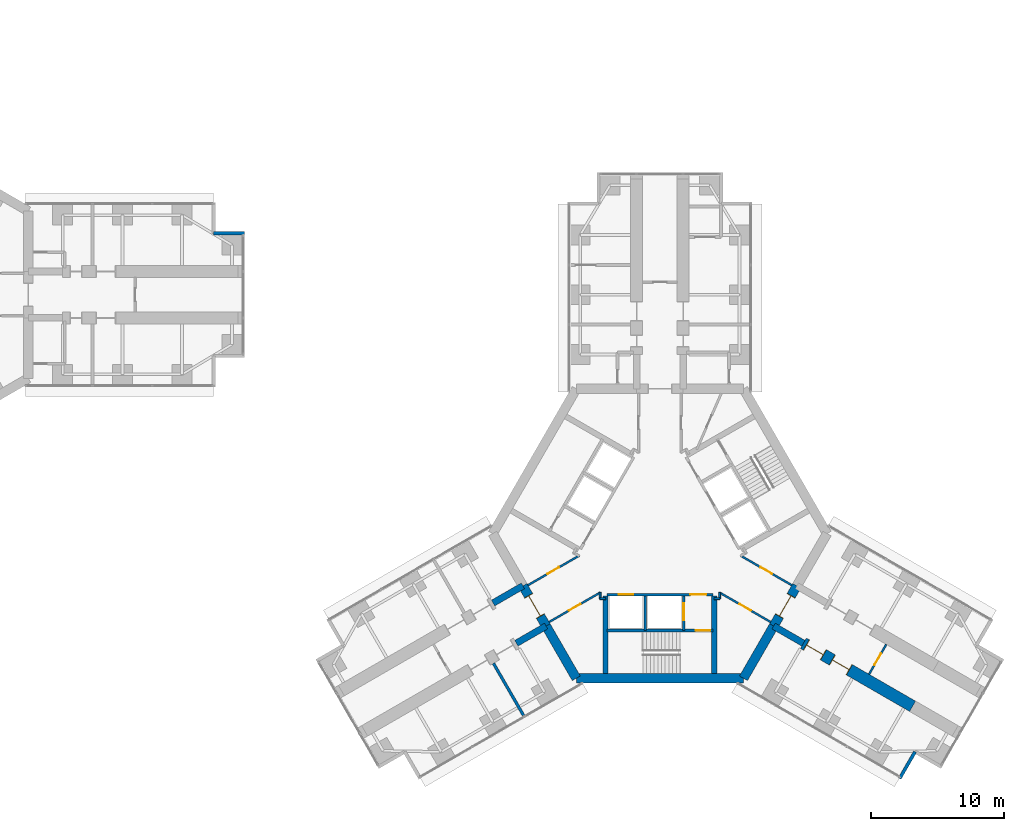
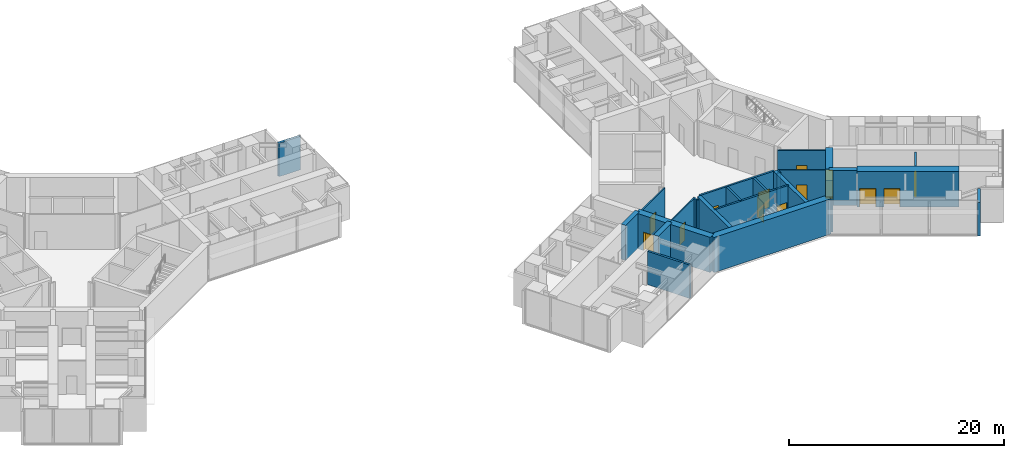
# One storey, part 19 of 23: 27 walls, 13 doors, 13 openings.
"""IFC4 building model written with IfcOpenShell, lengths in metres."""

from ifc_helpers import new_model, si_unit, direction, frame, frame_2d, origin, place, context, subcontext, project, spatial, rectangle, extrude, material, layer, layer_set, type_object, element, fill, save


model = new_model("IFC4")

# Units and contexts
model_context = context("Model", 3, precision=1e-05, world=origin(), true_north=direction((0.0, 1.0)))
body_context = subcontext(model_context, "Body", "Model", "MODEL_VIEW")
ifc_project = project(units=[si_unit("LENGTHUNIT", "METRE"), si_unit("AREAUNIT", "SQUARE_METRE"), si_unit("VOLUMEUNIT", "CUBIC_METRE"), si_unit("PLANEANGLEUNIT", "RADIAN"), si_unit("MASSUNIT", "GRAM", prefix="KILO")], contexts=[model_context])

# Site, building, storey
site_placement = place(None, origin())
site = spatial("IfcSite", under=ifc_project, at=site_placement, CompositionType="ELEMENT")
building_placement = place(site_placement, origin())
building = spatial("IfcBuilding", under=site, at=building_placement, Name="Upepo Twin Towers", CompositionType="ELEMENT")
storey_placement = place(building_placement, frame((0.0, 0.0, 24.5)))
storey = spatial("IfcBuildingStorey", under=building, at=storey_placement, Name="L05", CompositionType="ELEMENT", Elevation=24.5)

# Walls
ifc_material_1 = material(Name="Concrete blockwork, plastered both faces", Category="masonry")
ifc_layer_1 = layer(ifc_material_1, 0.215087890625)
ifc_layer_set_1 = layer_set([ifc_layer_1], Name="Blockwork partition 215")
wall_type_1 = type_object("IfcWallType", Name="Blockwork partition 215", PredefinedType="PARTITIONING", material=ifc_layer_set_1)
wall_1_placement = place(storey_placement, frame((45.960205078125, -27.7802734375, 0.0), z_axis=(0.0, 0.0, 1.0), x_axis=(0.499982560684, -0.866035472144, 0.0)))
element("IfcWall", 1, at=wall_1_placement, inside=storey, type_object=wall_type_1, Name="T2 partition BL at 15.75", PredefinedType="PARTITIONING", context=body_context, shape_type="SweptSolid", body=[
    extrude(rectangle(XDim=4.550048828125, YDim=0.215087890625, at=frame_2d((2.27490234375, 0.0))), origin(), (0.0, 0.0, 1.0), 3.800048828125),
])
ifc_material_2 = material(Name="Concrete C60/75", Category="concrete")
ifc_layer_2 = layer(ifc_material_2, 0.5)
ifc_layer_set_2 = layer_set([ifc_layer_2], Name="Concrete C60/75")
wall_type_2 = type_object("IfcWallType", Name="Buttress wall 500 RC", PredefinedType="SHEAR", material=ifc_layer_set_2)
for number, where, z_axis, x_axis, name in (
    (2, (49.92822265625, -24.9697265625, 0.0), (0.0, 0.0, 1.0), (-0.866031863473, -0.499988811324, 0.0), "T2 wing B buttress wall L"),
    (3, (48.17822265625, -21.938720703125, 0.0), (0.0, 0.0, 1.0), (-0.866072649678, -0.499918158782, 0.0), "T2 wing B buttress wall R"),
    (4, (67.07177734375, -24.9697265625, 0.0), (0.0, 0.0, 1.0), (0.866031863473, -0.499988811324, 0.0), "T2 wing C buttress wall R"),
):
    element("IfcWall", number, at=place(storey_placement, frame(where, z_axis=z_axis, x_axis=x_axis)), inside=storey, type_object=wall_type_2, Name=name, PredefinedType="SHEAR", context=body_context, shape_type="SweptSolid", body=[
        extrude(rectangle(XDim=2.591796875, YDim=0.5, at=frame_2d((1.2958984375, 0.0))), origin(), (0.0, 0.0, 1.0), 4.0),
    ])

# Wall, openings, doors
ifc_material_3 = material(Name="Concrete C60/75", Category="concrete")
ifc_layer_3 = layer(ifc_material_3, 0.89990234375)
ifc_layer_set_3 = layer_set([ifc_layer_3], Name="Concrete C60/75")
wall_type_3 = type_object("IfcWallType", Name="Buttress wall 900 RC", PredefinedType="SHEAR", material=ifc_layer_set_3)
wall_2_placement = place(storey_placement, frame((69.31640625, -26.265625, 0.0), z_axis=(0.0, 0.0, 1.0), x_axis=(0.86602681393, -0.499997557548, 0.0)))
wall_2 = element("IfcWall", 5, at=wall_2_placement, inside=storey, type_object=wall_type_3, Name="T2 wing C buttress wall R part 2", PredefinedType="SHEAR", context=body_context, shape_type="SweptSolid", body=[
    extrude(rectangle(XDim=9.5, YDim=0.89990234375, at=frame_2d((4.75, 0.0))), origin(), (0.0, 0.0, 1.0), 4.0),
])
opening_1_placement = place(wall_2_placement, frame((0.25, 0.0, 0.0)))
opening_1 = element("IfcOpeningElement", 6, at=opening_1_placement, cuts=wall_2, Name="Opening D13", PredefinedType="OPENING", context=body_context, shape_type="SweptSolid", body=[
    extrude(rectangle(XDim=1.5, YDim=2.10009765625, at=frame_2d((0.75, 1.050048828125))), frame((0.0, 0.4599609375, 0.0), z_axis=(0.0, -1.0, 0.0), x_axis=(1.0, 0.0, 0.0)), (0.0, 0.0, 1.0), 0.919921875),
])
opening_2_placement = place(wall_2_placement, frame((2.5, 0.0, 0.0)))
opening_2 = element("IfcOpeningElement", 7, at=opening_2_placement, cuts=wall_2, Name="Opening D13", PredefinedType="OPENING", context=body_context, shape_type="SweptSolid", body=[
    extrude(rectangle(XDim=1.5, YDim=2.10009765625, at=frame_2d((0.75, 1.050048828125))), frame((0.0, 0.4599609375, 0.0), z_axis=(0.0, -1.0, 0.0), x_axis=(1.0, 0.0, 0.0)), (0.0, 0.0, 1.0), 0.919921875),
])
ifc_material_4 = material(Name="Timber doorset", Category="wood")
door_type_1 = type_object("IfcDoorType", Name="Double door 1500 FD30", OperationType="DOUBLE_DOOR_SINGLE_SWING", PredefinedType="DOOR", material=ifc_material_4)
door_1_placement = place(opening_1_placement, origin())
door_1 = element("IfcDoor", 8, at=door_1_placement, inside=storey, type_object=door_type_1, Name="T2 L05 lecture room door", OperationType="DOUBLE_DOOR_SINGLE_SWING", OverallHeight=2.10009765625, OverallWidth=1.5, PredefinedType="DOOR", context=body_context, shape_type="SweptSolid", body=[
    extrude(rectangle(XDim=1.42, YDim=2.06009765625, at=frame_2d((0.75, 1.030029296875))), frame((0.0, 0.02490234375, 0.0), z_axis=(0.0, -1.0, 0.0), x_axis=(1.0, 0.0, 0.0)), (0.0, 0.0, 1.0), 0.050048828125),
    extrude(rectangle(XDim=0.04, YDim=2.10009765625, at=frame_2d((0.02001953125, 1.050048828125))), frame((0.0, 0.44970703125, 0.0), z_axis=(0.0, -1.0, 0.0), x_axis=(1.0, 0.0, 0.0)), (0.0, 0.0, 1.0), 0.8994140625),
    extrude(rectangle(XDim=0.04, YDim=2.10009765625, at=frame_2d((1.47998046875, 1.050048828125))), frame((0.0, 0.44970703125, 0.0), z_axis=(0.0, -1.0, 0.0), x_axis=(1.0, 0.0, 0.0)), (0.0, 0.0, 1.0), 0.8994140625),
    extrude(rectangle(XDim=1.42, YDim=0.04, at=frame_2d((0.75, 2.080078125))), frame((0.0, 0.44970703125, 0.0), z_axis=(0.0, -1.0, 0.0), x_axis=(1.0, 0.0, 0.0)), (0.0, 0.0, 1.0), 0.8994140625),
])
fill(opening_1, door_1)
door_2_placement = place(opening_2_placement, origin())
door_2 = element("IfcDoor", 9, at=door_2_placement, inside=storey, type_object=door_type_1, Name="T2 L05 lecture room door", OperationType="DOUBLE_DOOR_SINGLE_SWING", OverallHeight=2.10009765625, OverallWidth=1.5, PredefinedType="DOOR", context=body_context, shape_type="SweptSolid", body=[
    extrude(rectangle(XDim=1.42, YDim=2.06009765625, at=frame_2d((0.75, 1.030029296875))), frame((0.0, 0.02490234375, 0.0), z_axis=(0.0, -1.0, 0.0), x_axis=(1.0, 0.0, 0.0)), (0.0, 0.0, 1.0), 0.050048828125),
    extrude(rectangle(XDim=0.04, YDim=2.10009765625, at=frame_2d((0.02001953125, 1.050048828125))), frame((0.0, 0.44970703125, 0.0), z_axis=(0.0, -1.0, 0.0), x_axis=(1.0, 0.0, 0.0)), (0.0, 0.0, 1.0), 0.8994140625),
    extrude(rectangle(XDim=0.04, YDim=2.10009765625, at=frame_2d((1.47998046875, 1.050048828125))), frame((0.0, 0.44970703125, 0.0), z_axis=(0.0, -1.0, 0.0), x_axis=(1.0, 0.0, 0.0)), (0.0, 0.0, 1.0), 0.8994140625),
    extrude(rectangle(XDim=1.42, YDim=0.04, at=frame_2d((0.75, 2.080078125))), frame((0.0, 0.44970703125, 0.0), z_axis=(0.0, -1.0, 0.0), x_axis=(1.0, 0.0, 0.0)), (0.0, 0.0, 1.0), 0.8994140625),
])
fill(opening_2, door_2)

# Wall, opening, door
ifc_material_5 = material(Name="Concrete C60/75", Category="concrete")
ifc_layer_4 = layer(ifc_material_5, 0.699951171875)
ifc_layer_set_4 = layer_set([ifc_layer_4], Name="Concrete C60/75")
wall_type_4 = type_object("IfcWallType", Name="Core wall 700 RC", PredefinedType="SHEAR", material=ifc_layer_set_4)
wall_3_placement = place(storey_placement, frame((48.17822265625, -21.938720703125, 0.0), z_axis=(0.0, 0.0, 1.0), x_axis=(0.500010275428, -0.866019471182, 0.0)))
wall_3 = element("IfcWall", 10, at=wall_3_placement, inside=storey, type_object=wall_type_4, Name="T2 core wall 120", PredefinedType="SHEAR", context=body_context, shape_type="SweptSolid", body=[
    extrude(rectangle(XDim=3.5, YDim=0.699951171875, at=frame_2d((1.75, 0.0))), origin(), (0.0, 0.0, 1.0), 4.0),
])
opening_3_placement = place(wall_3_placement, frame((0.85009765625, 0.0, 0.0)))
opening_3 = element("IfcOpeningElement", 11, at=opening_3_placement, cuts=wall_3, Name="Opening D2", PredefinedType="OPENING", context=body_context, shape_type="SweptSolid", body=[
    extrude(rectangle(XDim=1.800048828125, YDim=2.10009765625, at=frame_2d((0.89990234375, 1.050048828125))), frame((0.0, 0.35986328125, 0.0), z_axis=(0.0, -1.0, 0.0), x_axis=(1.0, 0.0, 0.0)), (0.0, 0.0, 1.0), 0.719970703125),
])
ifc_material_6 = material(Name="Timber doorset", Category="wood")
door_type_2 = type_object("IfcDoorType", Name="Corridor double door 1800 FD60", OperationType="DOUBLE_DOOR_DOUBLE_SWING", PredefinedType="DOOR", material=ifc_material_6)
door_3_placement = place(opening_3_placement, origin())
door_3 = element("IfcDoor", 12, at=door_3_placement, inside=storey, type_object=door_type_2, Name="T2 L05 wing B corridor door", OperationType="DOUBLE_DOOR_DOUBLE_SWING", OverallHeight=2.10009765625, OverallWidth=1.800048828125, PredefinedType="DOOR", context=body_context, shape_type="SweptSolid", body=[
    extrude(rectangle(XDim=1.720048828125, YDim=2.06009765625, at=frame_2d((0.89990234375, 1.030029296875))), frame((0.0, 0.02490234375, 0.0), z_axis=(0.0, -1.0, 0.0), x_axis=(1.0, 0.0, 0.0)), (0.0, 0.0, 1.0), 0.050048828125),
    extrude(rectangle(XDim=0.04, YDim=2.10009765625, at=frame_2d((0.02001953125, 1.050048828125))), frame((0.0, 0.349609375, 0.0), z_axis=(0.0, -1.0, 0.0), x_axis=(1.0, 0.0, 0.0)), (0.0, 0.0, 1.0), 0.699462890625),
    extrude(rectangle(XDim=0.04, YDim=2.10009765625, at=frame_2d((1.780029296875, 1.050048828125))), frame((0.0, 0.349609375, 0.0), z_axis=(0.0, -1.0, 0.0), x_axis=(1.0, 0.0, 0.0)), (0.0, 0.0, 1.0), 0.699462890625),
    extrude(rectangle(XDim=1.720048828125, YDim=0.04, at=frame_2d((0.89990234375, 2.080078125))), frame((0.0, 0.349609375, 0.0), z_axis=(0.0, -1.0, 0.0), x_axis=(1.0, 0.0, 0.0)), (0.0, 0.0, 1.0), 0.699462890625),
])
fill(opening_3, door_3)

# Walls
wall_4_placement = place(storey_placement, frame((49.92822265625, -24.9697265625, 0.0), z_axis=(0.0, 0.0, 1.0), x_axis=(0.499984222037, -0.866034513004, 0.0)))
element("IfcWall", 13, at=wall_4_placement, inside=storey, type_object=wall_type_4, Name="T2 core wall 120 L", PredefinedType="SHEAR", context=body_context, shape_type="SweptSolid", body=[
    extrude(rectangle(XDim=4.548095703125, YDim=0.699951171875, at=frame_2d((2.27392578125, 0.0))), origin(), (0.0, 0.0, 1.0), 4.0),
])
wall_5_placement = place(storey_placement, frame((52.2021484375, -28.908447265625, 0.0), z_axis=(0.0, 0.0, 1.0), x_axis=(1.0, 0.0, 0.0)))
element("IfcWall", 14, at=wall_5_placement, inside=storey, type_object=wall_type_4, Name="T2 core wall 180", PredefinedType="SHEAR", context=body_context, shape_type="SweptSolid", body=[
    extrude(rectangle(XDim=12.595703125, YDim=0.699951171875, at=frame_2d((6.2978515625, 0.0))), origin(), (0.0, 0.0, 1.0), 4.0),
])
wall_6_placement = place(storey_placement, frame((64.7978515625, -28.908447265625, 0.0), z_axis=(0.0, 0.0, 1.0), x_axis=(0.499984222037, 0.866034513004, 0.0)))
element("IfcWall", 15, at=wall_6_placement, inside=storey, type_object=wall_type_4, Name="T2 core wall 240 R", PredefinedType="SHEAR", context=body_context, shape_type="SweptSolid", body=[
    extrude(rectangle(XDim=4.548095703125, YDim=0.699951171875, at=frame_2d((2.27392578125, 0.0))), origin(), (0.0, 0.0, 1.0), 4.0),
])

# Wall, opening, door
wall_7_placement = place(storey_placement, frame((67.07177734375, -24.9697265625, 0.0), z_axis=(0.0, 0.0, 1.0), x_axis=(0.500010275428, 0.866019471182, 0.0)))
wall_7 = element("IfcWall", 16, at=wall_7_placement, inside=storey, type_object=wall_type_4, Name="T2 core wall 240", PredefinedType="SHEAR", context=body_context, shape_type="SweptSolid", body=[
    extrude(rectangle(XDim=3.5, YDim=0.699951171875, at=frame_2d((1.75, 0.0))), origin(), (0.0, 0.0, 1.0), 4.0),
])
opening_4_placement = place(wall_7_placement, frame((0.85009765625, 0.0, 0.0)))
opening_4 = element("IfcOpeningElement", 17, at=opening_4_placement, cuts=wall_7, Name="Opening D2", PredefinedType="OPENING", context=body_context, shape_type="SweptSolid", body=[
    extrude(rectangle(XDim=1.800048828125, YDim=2.10009765625, at=frame_2d((0.89990234375, 1.050048828125))), frame((0.0, 0.35986328125, 0.0), z_axis=(0.0, -1.0, 0.0), x_axis=(1.0, 0.0, 0.0)), (0.0, 0.0, 1.0), 0.719970703125),
])
door_4_placement = place(opening_4_placement, origin())
door_4 = element("IfcDoor", 18, at=door_4_placement, inside=storey, type_object=door_type_2, Name="T2 L05 wing C corridor door", OperationType="DOUBLE_DOOR_DOUBLE_SWING", OverallHeight=2.10009765625, OverallWidth=1.800048828125, PredefinedType="DOOR", context=body_context, shape_type="SweptSolid", body=[
    extrude(rectangle(XDim=1.720048828125, YDim=2.06009765625, at=frame_2d((0.89990234375, 1.030029296875))), frame((0.0, 0.02490234375, 0.0), z_axis=(0.0, -1.0, 0.0), x_axis=(1.0, 0.0, 0.0)), (0.0, 0.0, 1.0), 0.050048828125),
    extrude(rectangle(XDim=0.04, YDim=2.10009765625, at=frame_2d((0.02001953125, 1.050048828125))), frame((0.0, 0.349609375, 0.0), z_axis=(0.0, -1.0, 0.0), x_axis=(1.0, 0.0, 0.0)), (0.0, 0.0, 1.0), 0.699462890625),
    extrude(rectangle(XDim=0.04, YDim=2.10009765625, at=frame_2d((1.780029296875, 1.050048828125))), frame((0.0, 0.349609375, 0.0), z_axis=(0.0, -1.0, 0.0), x_axis=(1.0, 0.0, 0.0)), (0.0, 0.0, 1.0), 0.699462890625),
    extrude(rectangle(XDim=1.720048828125, YDim=0.04, at=frame_2d((0.89990234375, 2.080078125))), frame((0.0, 0.349609375, 0.0), z_axis=(0.0, -1.0, 0.0), x_axis=(1.0, 0.0, 0.0)), (0.0, 0.0, 1.0), 0.699462890625),
])
fill(opening_4, door_4)

# Walls
ifc_material_7 = material(Name="Blockwork with anodised aluminium cladding", Category="masonry")
ifc_layer_5 = layer(ifc_material_7, 0.25)
ifc_layer_set_5 = layer_set([ifc_layer_5], Name="Notch cladding wall 250, pale metal")
wall_type_5 = type_object("IfcWallType", Name="Notch cladding wall 250, pale metal", PredefinedType="STANDARD", material=ifc_layer_set_5)
for number, where, z_axis, x_axis, name in (
    (19, (24.875, 4.625, 0.0), (0.0, 0.0, 1.0), (1.0, 0.0, 0.0), "T1 L05 wing A notch wall L2"),
    (20, (76.5673828125, -36.456298828125, 0.0), (0.0, 0.0, 1.0), (0.500046648681, 0.865998469481, 0.0), "T2 L05 wing C notch wall R1"),
):
    element("IfcWall", number, at=place(storey_placement, frame(where, z_axis=z_axis, x_axis=x_axis)), inside=storey, type_object=wall_type_5, Name=name, PredefinedType="STANDARD", context=body_context, shape_type="SweptSolid", body=[
        extrude(rectangle(XDim=2.324951171875, YDim=0.25, at=frame_2d((1.16259765625, 0.0))), origin(), (0.0, 0.0, 1.0), 3.800048828125),
    ])

# Wall, openings, doors
ifc_material_8 = material(Name="Concrete C40/50", Category="concrete")
ifc_layer_6 = layer(ifc_material_8, 0.199951171875)
ifc_layer_set_6 = layer_set([ifc_layer_6], Name="Concrete C40/50")
wall_type_6 = type_object("IfcWallType", Name="Shaft wall 200 RC", PredefinedType="SHEAR", material=ifc_layer_set_6)
wall_8_placement = place(storey_placement, frame((54.5, -22.60009765625, 0.0), z_axis=(0.0, 0.0, 1.0), x_axis=(1.0, 0.0, 0.0)))
wall_8 = element("IfcWall", 21, at=wall_8_placement, inside=storey, type_object=wall_type_6, Name="T2 core W180 front wall", PredefinedType="SHEAR", context=body_context, shape_type="SweptSolid", body=[
    extrude(rectangle(XDim=8.0, YDim=0.199951171875, at=frame_2d((4.0, 0.0))), origin(), (0.0, 0.0, 1.0), 4.0),
])
opening_5_placement = place(wall_8_placement, frame((6.300048828125, 0.0, 0.0)))
opening_5 = element("IfcOpeningElement", 22, at=opening_5_placement, cuts=wall_8, Name="Opening D4", PredefinedType="OPENING", context=body_context, shape_type="SweptSolid", body=[
    extrude(rectangle(XDim=1.199951171875, YDim=2.10009765625, at=frame_2d((0.60009765625, 1.050048828125))), frame((0.0, 0.10986328125, 0.0), z_axis=(0.0, -1.0, 0.0), x_axis=(1.0, 0.0, 0.0)), (0.0, 0.0, 1.0), 0.219970703125),
])
opening_6_placement = place(wall_8_placement, frame((0.89990234375, 0.0, 0.0)))
opening_6 = element("IfcOpeningElement", 23, at=opening_6_placement, cuts=wall_8, Name="Opening LD1", PredefinedType="OPENING", context=body_context, shape_type="SweptSolid", body=[
    extrude(rectangle(XDim=1.10009765625, YDim=2.199951171875, at=frame_2d((0.550048828125, 1.10009765625))), frame((0.0, 0.10986328125, 0.0), z_axis=(0.0, -1.0, 0.0), x_axis=(1.0, 0.0, 0.0)), (0.0, 0.0, 1.0), 0.219970703125),
])
ifc_material_9 = material(Name="Steel doorset", Category="steel")
door_type_3 = type_object("IfcDoorType", Name="Lift landing door 1100", OperationType="DOUBLE_DOOR_SLIDING", PredefinedType="DOOR", material=ifc_material_9)
door_5_placement = place(opening_6_placement, origin())
door_5 = element("IfcDoor", 24, at=door_5_placement, inside=storey, type_object=door_type_3, Name="T2 L05 lift SV1 landing door", OperationType="DOUBLE_DOOR_SLIDING", OverallHeight=2.199951171875, OverallWidth=1.10009765625, PredefinedType="DOOR", context=body_context, shape_type="SweptSolid", body=[
    extrude(rectangle(XDim=1.10009765625, YDim=2.199951171875, at=frame_2d((0.550048828125, 1.10009765625))), frame((0.0, 0.02490234375, 0.0), z_axis=(0.0, -1.0, 0.0), x_axis=(1.0, 0.0, 0.0)), (0.0, 0.0, 1.0), 0.050048828125),
])
fill(opening_6, door_5)
ifc_material_10 = material(Name="Timber doorset", Category="wood")
door_type_4 = type_object("IfcDoorType", Name="Lobby door 1200 FD60", OperationType="SINGLE_SWING_LEFT", PredefinedType="DOOR", material=ifc_material_10)
door_6_placement = place(opening_5_placement, origin())
door_6 = element("IfcDoor", 25, at=door_6_placement, inside=storey, type_object=door_type_4, Name="T2 L05 W180 lobby door", OperationType="SINGLE_SWING_RIGHT", OverallHeight=2.10009765625, OverallWidth=1.199951171875, PredefinedType="DOOR", context=body_context, shape_type="SweptSolid", body=[
    extrude(rectangle(XDim=1.199951171875, YDim=2.10009765625, at=frame_2d((0.60009765625, 1.050048828125))), frame((0.0, 0.02490234375, 0.0), z_axis=(0.0, -1.0, 0.0), x_axis=(1.0, 0.0, 0.0)), (0.0, 0.0, 1.0), 0.050048828125),
])
fill(opening_5, door_6)

# Wall
wall_9_placement = place(storey_placement, frame((57.39990234375, -22.699951171875, 0.0), z_axis=(0.0, 0.0, 1.0), x_axis=(0.0, -1.0, 0.0)))
element("IfcWall", 26, at=wall_9_placement, inside=storey, type_object=wall_type_6, Name="T2 core W180 shaft divider", PredefinedType="SHEAR", context=body_context, shape_type="SweptSolid", body=[
    extrude(rectangle(XDim=2.60009765625, YDim=0.199951171875, at=frame_2d((1.300048828125, 0.0))), origin(), (0.0, 0.0, 1.0), 4.0),
])

# Wall, opening, door
wall_10_placement = place(storey_placement, frame((60.300048828125, -22.699951171875, 0.0), z_axis=(0.0, 0.0, 1.0), x_axis=(0.0, -1.0, 0.0)))
wall_10 = element("IfcWall", 27, at=wall_10_placement, inside=storey, type_object=wall_type_6, Name="T2 core W180 lobby wall", PredefinedType="SHEAR", context=body_context, shape_type="SweptSolid", body=[
    extrude(rectangle(XDim=2.60009765625, YDim=0.199951171875, at=frame_2d((1.300048828125, 0.0))), origin(), (0.0, 0.0, 1.0), 4.0),
])
opening_7_placement = place(wall_10_placement, frame((0.550048828125, 0.0, 0.0)))
opening_7 = element("IfcOpeningElement", 28, at=opening_7_placement, cuts=wall_10, Name="Opening LD2", PredefinedType="OPENING", context=body_context, shape_type="SweptSolid", body=[
    extrude(rectangle(XDim=1.300048828125, YDim=2.199951171875, at=frame_2d((0.64990234375, 1.10009765625))), frame((0.0, 0.10986328125, 0.0), z_axis=(0.0, -1.0, 0.0), x_axis=(1.0, 0.0, 0.0)), (0.0, 0.0, 1.0), 0.219970703125),
])
ifc_material_11 = material(Name="Steel doorset", Category="steel")
door_type_5 = type_object("IfcDoorType", Name="Firefighting lift landing door 1300", OperationType="DOUBLE_DOOR_SLIDING", PredefinedType="DOOR", material=ifc_material_11)
door_7_placement = place(opening_7_placement, origin())
door_7 = element("IfcDoor", 29, at=door_7_placement, inside=storey, type_object=door_type_5, Name="T2 L05 firefighting lift landing door", OperationType="DOUBLE_DOOR_SLIDING", OverallHeight=2.199951171875, OverallWidth=1.300048828125, PredefinedType="DOOR", context=body_context, shape_type="SweptSolid", body=[
    extrude(rectangle(XDim=1.300048828125, YDim=2.199951171875, at=frame_2d((0.64990234375, 1.10009765625))), frame((0.0, 0.02490234375, 0.0), z_axis=(0.0, -1.0, 0.0), x_axis=(1.0, 0.0, 0.0)), (0.0, 0.0, 1.0), 0.050048828125),
])
fill(opening_7, door_7)

wall_11_placement = place(storey_placement, frame((54.5, -25.300048828125, 0.0), z_axis=(0.0, 0.0, 1.0), x_axis=(1.0, 0.0, 0.0)))
wall_11 = element("IfcWall", 30, at=wall_11_placement, inside=storey, type_object=wall_type_6, Name="T2 core W180 stair wall", PredefinedType="SHEAR", context=body_context, shape_type="SweptSolid", body=[
    extrude(rectangle(XDim=8.0, YDim=0.199951171875, at=frame_2d((4.0, 0.0))), origin(), (0.0, 0.0, 1.0), 4.0),
])
opening_8_placement = place(wall_11_placement, frame((6.699951171875, 0.0, 0.0)))
opening_8 = element("IfcOpeningElement", 31, at=opening_8_placement, cuts=wall_11, Name="Opening D3", PredefinedType="OPENING", context=body_context, shape_type="SweptSolid", body=[
    extrude(rectangle(XDim=1.10009765625, YDim=2.10009765625, at=frame_2d((0.550048828125, 1.050048828125))), frame((0.0, 0.10986328125, 0.0), z_axis=(0.0, -1.0, 0.0), x_axis=(1.0, 0.0, 0.0)), (0.0, 0.0, 1.0), 0.219970703125),
])
ifc_material_12 = material(Name="Timber doorset", Category="wood")
door_type_6 = type_object("IfcDoorType", Name="Stair door 1100 FD60", OperationType="SINGLE_SWING_LEFT", PredefinedType="DOOR", material=ifc_material_12)
door_8_placement = place(opening_8_placement, origin())
door_8 = element("IfcDoor", 32, at=door_8_placement, inside=storey, type_object=door_type_6, Name="T2 L05 stair door", OperationType="SINGLE_SWING_RIGHT", OverallHeight=2.10009765625, OverallWidth=1.10009765625, PredefinedType="DOOR", context=body_context, shape_type="SweptSolid", body=[
    extrude(rectangle(XDim=1.10009765625, YDim=2.10009765625, at=frame_2d((0.550048828125, 1.050048828125))), frame((0.0, 0.02490234375, 0.0), z_axis=(0.0, -1.0, 0.0), x_axis=(1.0, 0.0, 0.0)), (0.0, 0.0, 1.0), 0.050048828125),
])
fill(opening_8, door_8)

# Walls
ifc_material_13 = material(Name="Concrete C40/50", Category="concrete")
ifc_layer_7 = layer(ifc_material_13, 0.39990234375)
ifc_layer_set_7 = layer_set([ifc_layer_7], Name="Concrete C40/50")
wall_type_7 = type_object("IfcWallType", Name="Shaft wall 400 RC", PredefinedType="SHEAR", material=ifc_layer_set_7)
for number, where, z_axis, x_axis, name in (
    (33, (62.60009765625, -22.699951171875, 0.0), (0.0, 0.0, 1.0), (0.0, -1.0, 0.0), "T2 core W180 side wall N"),
    (34, (54.39990234375, -22.699951171875, 0.0), (0.0, 0.0, 1.0), (0.0, -1.0, 0.0), "T2 core W180 side wall S"),
):
    element("IfcWall", number, at=place(storey_placement, frame(where, z_axis=z_axis, x_axis=x_axis)), inside=storey, type_object=wall_type_7, Name=name, PredefinedType="SHEAR", context=body_context, shape_type="SweptSolid", body=[
        extrude(rectangle(XDim=5.8583984375, YDim=0.39990234375, at=frame_2d((2.92919921875, 0.0))), origin(), (0.0, 0.0, 1.0), 4.0),
    ])
ifc_material_14 = material(Name="Gypsum board on steel studs", Category="steel")
ifc_layer_8 = layer(ifc_material_14, 0.14990234375)
ifc_layer_set_8 = layer_set([ifc_layer_8], Name="Teaching partition 150 acoustic")
wall_type_8 = type_object("IfcWallType", Name="Teaching partition 150 acoustic", PredefinedType="PARTITIONING", material=ifc_layer_set_8)
wall_12_placement = place(storey_placement, frame((54.0, -22.919921875, 0.0), z_axis=(0.0, 0.0, 1.0), x_axis=(0.0, 1.0, 0.0)))
element("IfcWall", 35, at=wall_12_placement, inside=storey, type_object=wall_type_8, Name="T2 core room partition 1", PredefinedType="PARTITIONING", context=body_context, shape_type="SweptSolid", body=[
    extrude(rectangle(XDim=0.494384765625, YDim=0.14990234375, at=frame_2d((0.2470703125, 0.0))), origin(), (0.0, 0.0, 1.0), 3.800048828125),
])

# Wall, opening, door
wall_13_placement = place(storey_placement, frame((54.017333984375, -22.435546875, 0.0), z_axis=(0.0, 0.0, 1.0), x_axis=(-0.866015446554, -0.500017246033, 0.0)))
wall_13 = element("IfcWall", 36, at=wall_13_placement, inside=storey, type_object=wall_type_8, Name="T2 core room partition 2", PredefinedType="PARTITIONING", context=body_context, shape_type="SweptSolid", body=[
    extrude(rectangle(XDim=4.468505859375, YDim=0.14990234375, at=frame_2d((2.234375, 0.0))), origin(), (0.0, 0.0, 1.0), 3.800048828125),
])
opening_9_placement = place(wall_13_placement, frame((1.744384765625, 0.0, 0.0)))
opening_9 = element("IfcOpeningElement", 37, at=opening_9_placement, cuts=wall_13, Name="Opening D1", PredefinedType="OPENING", context=body_context, shape_type="SweptSolid", body=[
    extrude(rectangle(XDim=1.0, YDim=2.10009765625, at=frame_2d((0.5, 1.050048828125))), frame((0.0, 0.0849609375, 0.0), z_axis=(0.0, -1.0, 0.0), x_axis=(1.0, 0.0, 0.0)), (0.0, 0.0, 1.0), 0.169921875),
])
ifc_material_15 = material(Name="Timber doorset", Category="wood")
door_type_7 = type_object("IfcDoorType", Name="Room door 1000 FD30", OperationType="SINGLE_SWING_LEFT", PredefinedType="DOOR", material=ifc_material_15)
door_9_placement = place(opening_9_placement, origin())
door_9 = element("IfcDoor", 38, at=door_9_placement, inside=storey, type_object=door_type_7, Name="T2 L05 core room door K2", OperationType="SINGLE_SWING_RIGHT", OverallHeight=2.10009765625, OverallWidth=1.0, PredefinedType="DOOR", context=body_context, shape_type="SweptSolid", body=[
    extrude(rectangle(XDim=1.0, YDim=2.10009765625, at=frame_2d((0.5, 1.050048828125))), frame((0.0, 0.02490234375, 0.0), z_axis=(0.0, -1.0, 0.0), x_axis=(1.0, 0.0, 0.0)), (0.0, 0.0, 1.0), 0.050048828125),
])
fill(opening_9, door_9)

wall_14_placement = place(storey_placement, frame((48.547607421875, -21.8984375, 0.0), z_axis=(0.0, 0.0, 1.0), x_axis=(0.866025445582, 0.499999927604, 0.0)))
wall_14 = element("IfcWall", 39, at=wall_14_placement, inside=storey, type_object=wall_type_8, Name="T2 core room partition 3", PredefinedType="PARTITIONING", context=body_context, shape_type="SweptSolid", body=[
    extrude(rectangle(XDim=4.46826171875, YDim=0.14990234375, at=frame_2d((2.234130859375, 0.0))), origin(), (0.0, 0.0, 1.0), 3.800048828125),
])
opening_10_placement = place(wall_14_placement, frame((1.72412109375, 0.0, 0.0)))
opening_10 = element("IfcOpeningElement", 40, at=opening_10_placement, cuts=wall_14, Name="Opening D1", PredefinedType="OPENING", context=body_context, shape_type="SweptSolid", body=[
    extrude(rectangle(XDim=1.0, YDim=2.10009765625, at=frame_2d((0.5, 1.050048828125))), frame((0.0, 0.0849609375, 0.0), z_axis=(0.0, -1.0, 0.0), x_axis=(1.0, 0.0, 0.0)), (0.0, 0.0, 1.0), 0.169921875),
])
door_10_placement = place(opening_10_placement, origin())
door_10 = element("IfcDoor", 41, at=door_10_placement, inside=storey, type_object=door_type_7, Name="T2 L05 core room door K1", OperationType="SINGLE_SWING_LEFT", OverallHeight=2.10009765625, OverallWidth=1.0, PredefinedType="DOOR", context=body_context, shape_type="SweptSolid", body=[
    extrude(rectangle(XDim=1.0, YDim=2.10009765625, at=frame_2d((0.5, 1.050048828125))), frame((0.0, 0.02490234375, 0.0), z_axis=(0.0, -1.0, 0.0), x_axis=(1.0, 0.0, 0.0)), (0.0, 0.0, 1.0), 0.050048828125),
])
fill(opening_10, door_10)

wall_15_placement = place(storey_placement, frame((64.582763671875, -19.664306640625, 0.0), z_axis=(0.0, 0.0, 1.0), x_axis=(0.866025445582, -0.499999927604, 0.0)))
wall_15 = element("IfcWall", 42, at=wall_15_placement, inside=storey, type_object=wall_type_8, Name="T2 core room partition 14", PredefinedType="PARTITIONING", context=body_context, shape_type="SweptSolid", body=[
    extrude(rectangle(XDim=4.46826171875, YDim=0.14990234375, at=frame_2d((2.234130859375, 0.0))), origin(), (0.0, 0.0, 1.0), 3.800048828125),
])
opening_11_placement = place(wall_15_placement, frame((1.744384765625, 0.0, 0.0)))
opening_11 = element("IfcOpeningElement", 43, at=opening_11_placement, cuts=wall_15, Name="Opening D1", PredefinedType="OPENING", context=body_context, shape_type="SweptSolid", body=[
    extrude(rectangle(XDim=1.0, YDim=2.10009765625, at=frame_2d((0.5, 1.050048828125))), frame((0.0, 0.0849609375, 0.0), z_axis=(0.0, -1.0, 0.0), x_axis=(1.0, 0.0, 0.0)), (0.0, 0.0, 1.0), 0.169921875),
])
door_11_placement = place(opening_11_placement, origin())
door_11 = element("IfcDoor", 44, at=door_11_placement, inside=storey, type_object=door_type_7, Name="T2 L05 core room door K4", OperationType="SINGLE_SWING_RIGHT", OverallHeight=2.10009765625, OverallWidth=1.0, PredefinedType="DOOR", context=body_context, shape_type="SweptSolid", body=[
    extrude(rectangle(XDim=1.0, YDim=2.10009765625, at=frame_2d((0.5, 1.050048828125))), frame((0.0, 0.02490234375, 0.0), z_axis=(0.0, -1.0, 0.0), x_axis=(1.0, 0.0, 0.0)), (0.0, 0.0, 1.0), 0.050048828125),
])
fill(opening_11, door_11)

wall_16_placement = place(storey_placement, frame((66.8525390625, -24.669921875, 0.0), z_axis=(0.0, 0.0, 1.0), x_axis=(-0.866015446554, 0.500017246033, 0.0)))
wall_16 = element("IfcWall", 45, at=wall_16_placement, inside=storey, type_object=wall_type_8, Name="T2 core room partition 15", PredefinedType="PARTITIONING", context=body_context, shape_type="SweptSolid", body=[
    extrude(rectangle(XDim=4.468505859375, YDim=0.14990234375, at=frame_2d((2.234375, 0.0))), origin(), (0.0, 0.0, 1.0), 3.800048828125),
])
opening_12_placement = place(wall_16_placement, frame((1.72412109375, 0.0, 0.0)))
opening_12 = element("IfcOpeningElement", 46, at=opening_12_placement, cuts=wall_16, Name="Opening D1", PredefinedType="OPENING", context=body_context, shape_type="SweptSolid", body=[
    extrude(rectangle(XDim=1.0, YDim=2.10009765625, at=frame_2d((0.5, 1.050048828125))), frame((0.0, 0.0849609375, 0.0), z_axis=(0.0, -1.0, 0.0), x_axis=(1.0, 0.0, 0.0)), (0.0, 0.0, 1.0), 0.169921875),
])
door_12_placement = place(opening_12_placement, origin())
door_12 = element("IfcDoor", 47, at=door_12_placement, inside=storey, type_object=door_type_7, Name="T2 L05 core room door K3", OperationType="SINGLE_SWING_LEFT", OverallHeight=2.10009765625, OverallWidth=1.0, PredefinedType="DOOR", context=body_context, shape_type="SweptSolid", body=[
    extrude(rectangle(XDim=1.0, YDim=2.10009765625, at=frame_2d((0.5, 1.050048828125))), frame((0.0, 0.02490234375, 0.0), z_axis=(0.0, -1.0, 0.0), x_axis=(1.0, 0.0, 0.0)), (0.0, 0.0, 1.0), 0.050048828125),
])
fill(opening_12, door_12)

# Walls
wall_17_placement = place(storey_placement, frame((63.0, -22.425537109375, 0.0), z_axis=(0.0, 0.0, 1.0), x_axis=(0.0, -1.0, 0.0)))
element("IfcWall", 48, at=wall_17_placement, inside=storey, type_object=wall_type_8, Name="T2 core room partition 16", PredefinedType="PARTITIONING", context=body_context, shape_type="SweptSolid", body=[
    extrude(rectangle(XDim=0.494384765625, YDim=0.14990234375, at=frame_2d((0.2470703125, 0.0))), origin(), (0.0, 0.0, 1.0), 3.800048828125),
])
for number, where, z_axis, x_axis, name in (
    (49, (63.02001953125, -22.89990234375, 0.0), (0.0, 0.0, 1.0), (-1.0, 0.0, 0.0), "T2 core room partition 17"),
    (50, (54.409912109375, -22.89990234375, 0.0), (0.0, 0.0, 1.0), (-1.0, 0.0, 0.0), "T2 core room partition 18"),
):
    element("IfcWall", number, at=place(storey_placement, frame(where, z_axis=z_axis, x_axis=x_axis)), inside=storey, type_object=wall_type_8, Name=name, PredefinedType="PARTITIONING", context=body_context, shape_type="SweptSolid", body=[
        extrude(rectangle(XDim=0.429931640625, YDim=0.14990234375, at=frame_2d((0.21484375, 0.0))), origin(), (0.0, 0.0, 1.0), 3.800048828125),
    ])

# Wall, opening, door
wall_18_placement = place(storey_placement, frame((74.26123046875, -28.600830078125, 0.0), z_axis=(0.0, 0.0, 1.0), x_axis=(0.500006934395, 0.866021400173, 0.0)))
wall_18 = element("IfcWall", 51, at=wall_18_placement, inside=storey, type_object=wall_type_8, Name="T2 corridor end partition C at 18.95", PredefinedType="PARTITIONING", context=body_context, shape_type="SweptSolid", body=[
    extrude(rectangle(XDim=2.60009765625, YDim=0.14990234375, at=frame_2d((1.300048828125, 0.0))), origin(), (0.0, 0.0, 1.0), 3.800048828125),
])
opening_13_placement = place(wall_18_placement, frame((0.800048828125, 0.0, 0.0)))
opening_13 = element("IfcOpeningElement", 52, at=opening_13_placement, cuts=wall_18, Name="Opening D1", PredefinedType="OPENING", context=body_context, shape_type="SweptSolid", body=[
    extrude(rectangle(XDim=1.0, YDim=2.10009765625, at=frame_2d((0.5, 1.050048828125))), frame((0.0, 0.0849609375, 0.0), z_axis=(0.0, -1.0, 0.0), x_axis=(1.0, 0.0, 0.0)), (0.0, 0.0, 1.0), 0.169921875),
])
door_13_placement = place(opening_13_placement, origin())
door_13 = element("IfcDoor", 53, at=door_13_placement, inside=storey, type_object=door_type_7, Name="T2 L05 breakout study room door", OperationType="SINGLE_SWING_LEFT", OverallHeight=2.10009765625, OverallWidth=1.0, PredefinedType="DOOR", context=body_context, shape_type="SweptSolid", body=[
    extrude(rectangle(XDim=1.0, YDim=2.10009765625, at=frame_2d((0.5, 1.050048828125))), frame((0.0, 0.02490234375, 0.0), z_axis=(0.0, -1.0, 0.0), x_axis=(1.0, 0.0, 0.0)), (0.0, 0.0, 1.0), 0.050048828125),
])
fill(opening_13, door_13)

save(model, "model.ifc")
